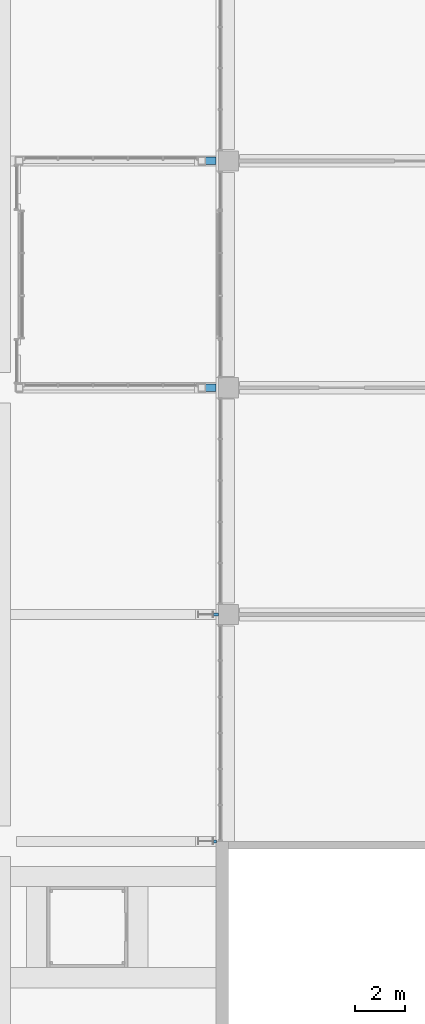
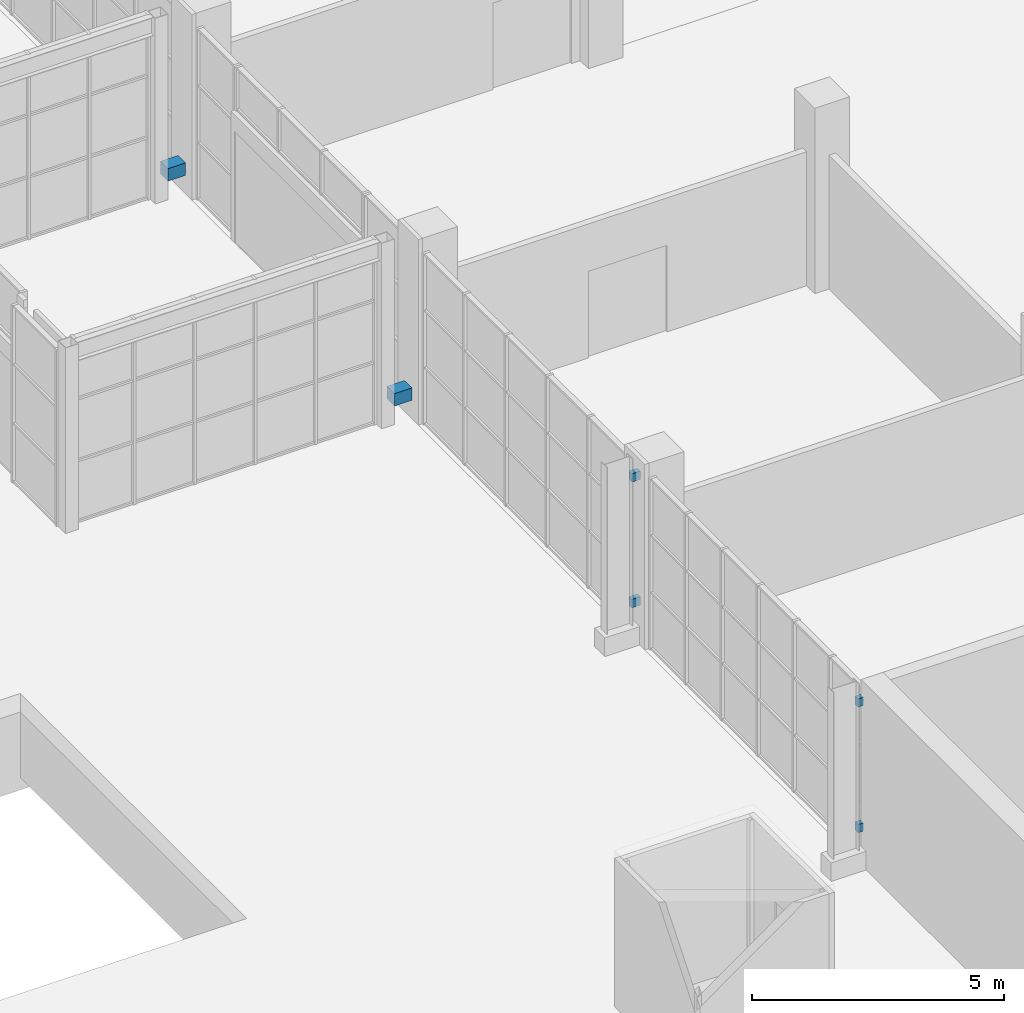
# One storey, part 121 of 168: 6 discrete accessories.
"""IFC4 building model written with IfcOpenShell, lengths in metres."""

from ifc_helpers import new_model, si_unit, direction, frame, origin, origin_2d, place, context, subcontext, project, spatial, rectangle, extrude, material, type_object, element, save


model = new_model("IFC4")

# Units and contexts
model_context = context("Model", 3, precision=1e-05, world=origin(), true_north=direction((0.0, 1.0)))
body_context = subcontext(model_context, "Body", "Model", "MODEL_VIEW")
ifc_project = project(units=[si_unit("LENGTHUNIT", "METRE"), si_unit("AREAUNIT", "SQUARE_METRE"), si_unit("VOLUMEUNIT", "CUBIC_METRE"), si_unit("PLANEANGLEUNIT", "RADIAN"), si_unit("MASSUNIT", "GRAM", prefix="KILO")], contexts=[model_context])

# Site, building, storey
site_placement = place(None, origin())
site = spatial("IfcSite", under=ifc_project, at=site_placement, CompositionType="ELEMENT")
building_placement = place(site_placement, origin())
building = spatial("IfcBuilding", under=site, at=building_placement, Name="Silverbay Arena", CompositionType="ELEMENT")
storey_placement = place(building_placement, frame((0.0, 0.0, 7.0)))
storey = spatial("IfcBuildingStorey", under=building, at=storey_placement, Name="L01", CompositionType="ELEMENT", Elevation=7.0)

# Discrete accessories
ifc_material = material(Name="Steel S355", Category="steel")
discrete_accessory_type = type_object("IfcDiscreteAccessoryType", Name="Steel bracket plate", PredefinedType="BRACKET", material=ifc_material)
for number, where, z_axis, x_axis, name in (
    (1, (26.4599609375, 36.0, 0.85009765625), (0.0, 0.0, 1.0), (1.0, 0.0, 0.0), "Fin bracket"),
    (2, (26.4599609375, 36.0, 3.89990234375), (0.0, 0.0, 1.0), (1.0, 0.0, 0.0), "Fin bracket"),
):
    element("IfcDiscreteAccessory", number, at=place(storey_placement, frame(where, z_axis=z_axis, x_axis=x_axis)), inside=storey, type_object=discrete_accessory_type, Name=name, PredefinedType="BRACKET", context=body_context, shape_type="SweptSolid", body=[
        extrude(rectangle(XDim=0.1201171875, YDim=0.1201171875, at=origin_2d()), origin(), (0.0, 0.0, 1.0), 0.199951171875),
    ])
for number, where, z_axis, x_axis, name in (
    (3, (26.5, 45.0, 0.85009765625), (0.0, 0.0, 1.0), (1.0, 0.0, 0.0), "Fin bracket"),
    (4, (26.5, 45.0, 3.89990234375), (0.0, 0.0, 1.0), (1.0, 0.0, 0.0), "Fin bracket"),
):
    element("IfcDiscreteAccessory", number, at=place(storey_placement, frame(where, z_axis=z_axis, x_axis=x_axis)), inside=storey, type_object=discrete_accessory_type, Name=name, PredefinedType="BRACKET", context=body_context, shape_type="SweptSolid", body=[
        extrude(rectangle(XDim=0.199951171875, YDim=0.1201171875, at=origin_2d()), origin(), (0.0, 0.0, 1.0), 0.199951171875),
    ])
for number, where, z_axis, x_axis, name in (
    (5, (26.300048828125, 54.0, 0.4501953125), (0.0, 0.0, 1.0), (1.0, 0.0, 0.0), "Hall column bracket plate"),
    (6, (26.300048828125, 63.0, 0.4501953125), (0.0, 0.0, 1.0), (1.0, 0.0, 0.0), "Hall column bracket plate"),
):
    element("IfcDiscreteAccessory", number, at=place(storey_placement, frame(where, z_axis=z_axis, x_axis=x_axis)), inside=storey, type_object=discrete_accessory_type, Name=name, PredefinedType="BRACKET", context=body_context, shape_type="SweptSolid", body=[
        extrude(rectangle(XDim=0.39990234375, YDim=0.300048828125, at=origin_2d()), origin(), (0.0, 0.0, 1.0), 0.300048828125),
    ])

save(model, "model.ifc")
